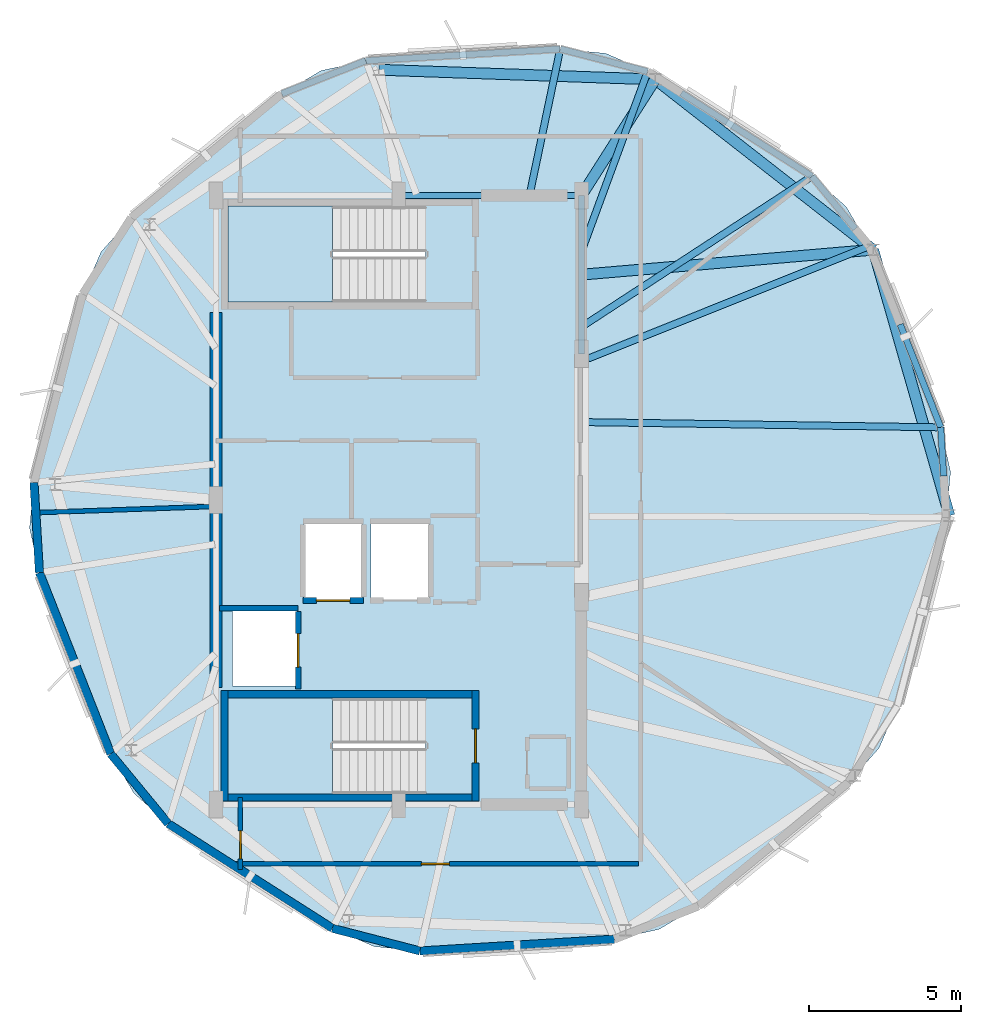
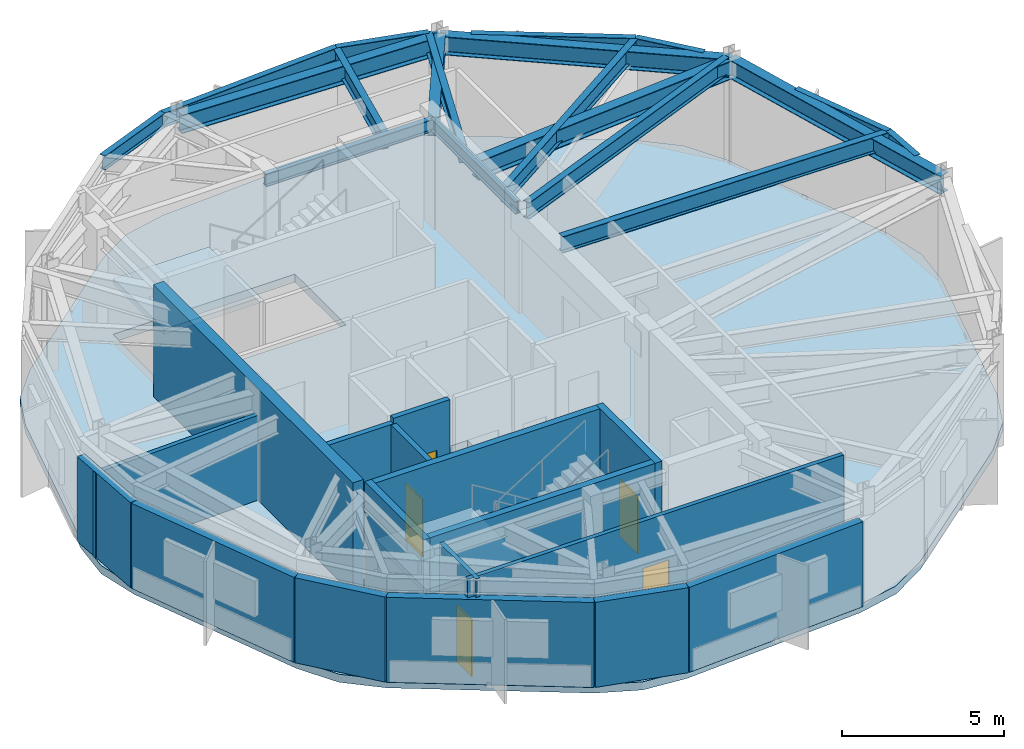
# One storey, part 2 of 6: 19 beams, 17 walls, 5 doors, 3 slabs, 5 openings, 2 elements without a shape of their own.
"""IFC4 building model written with IfcOpenShell, lengths in metres."""

import ifcopenshell
import ifcopenshell.guid

model = None  # the IFC model being written
_history = None  # IfcOwnerHistory: only IFC2X3 demands one
_inside = {}  # id of a spatial element -> (the spatial element, [elements in it])
_under = {}  # id of a project, library or spatial element -> (it, [spatial elements below it])
_declared = {}  # id of a project -> (the project, [libraries it declares])
_typed = {}  # id of a type object -> (the type object, [elements of that type])
_made_of = {}  # id of a material, layer set ... -> (it, [elements and type objects made of it])


def new_model(schema):
    """Start an empty IFC model of exactly this schema.

    Asked for "IFC4X3", IfcOpenShell would pick the latest addendum, in which some entities
    have other attributes; the version numbers below select the first issue.
    IFC2X3 requires an IfcOwnerHistory on every rooted entity: one is made here for all.
    """
    global model, _history
    if schema == "IFC4X3":
        model = ifcopenshell.file(schema_version=(4, 3, 0, 0))
    else:
        model = ifcopenshell.file(schema=schema)
    _inside.clear()
    _under.clear()
    _declared.clear()
    _typed.clear()
    _made_of.clear()
    _history = None
    if model.schema == "IFC2X3":
        org = make("IfcOrganization", Name="unknown")
        user = make(
            "IfcPersonAndOrganization",
            ThePerson=make("IfcPerson", FamilyName="unknown"),
            TheOrganization=org,
        )
        app = make(
            "IfcApplication",
            ApplicationDeveloper=org,
            Version="unknown",
            ApplicationFullName="unknown",
            ApplicationIdentifier="unknown",
        )
        _history = make(
            "IfcOwnerHistory",
            OwningUser=user,
            OwningApplication=app,
            ChangeAction="ADDED",
            CreationDate=0,
        )
    return model


def make(cls, **values):
    """One entity of the class cls with the attributes given. An attribute that is None is left unset."""
    return model.create_entity(
        cls, **{name: value for name, value in values.items() if value is not None}
    )


def rooted(cls, **values):
    """An entity with a GlobalId (a new one), such as an element, a storey or a relation."""
    return make(cls, GlobalId=ifcopenshell.guid.new(), OwnerHistory=_history, **values)


def si_unit(unit_type, name, prefix=None):
    """IfcSIUnit, for example si_unit("LENGTHUNIT", "METRE", prefix="MILLI")."""
    return make("IfcSIUnit", UnitType=unit_type, Prefix=prefix, Name=name)


def assignment(units):
    """IfcUnitAssignment: the units of a project."""
    return None if units is None else make("IfcUnitAssignment", Units=units)


def point(xyz):
    """IfcCartesianPoint."""
    return None if xyz is None else make("IfcCartesianPoint", Coordinates=xyz)


def direction(xyz):
    """IfcDirection."""
    return None if xyz is None else make("IfcDirection", DirectionRatios=xyz)


def frame(location, z_axis=None, x_axis=None):
    """IfcAxis2Placement3D, a coordinate frame: its origin and axes. An axis left out is left unset."""
    return make(
        "IfcAxis2Placement3D",
        Location=point(location),
        Axis=direction(z_axis),
        RefDirection=direction(x_axis),
    )


def frame_2d(location, x_axis=None):
    """IfcAxis2Placement2D, a coordinate frame in the plane: its origin and x axis."""
    return make(
        "IfcAxis2Placement2D", Location=point(location), RefDirection=direction(x_axis)
    )


def origin():
    """The frame at (0, 0, 0) with its axes left unset."""
    return frame((0.0, 0.0, 0.0))


def origin_2d():
    """The frame at (0, 0) in the plane with its x axis left unset."""
    return frame_2d((0.0, 0.0))


def place(relative_to, where):
    """IfcLocalPlacement: puts the frame where relative to a parent placement (None: the world)."""
    return make(
        "IfcLocalPlacement", PlacementRelTo=relative_to, RelativePlacement=where
    )


def context(
    kind, dimensions, precision=None, world=None, true_north=None, identifier=None
):
    """IfcGeometricRepresentationContext, for example the 3D "Model" context."""
    return make(
        "IfcGeometricRepresentationContext",
        ContextIdentifier=identifier,
        ContextType=kind,
        CoordinateSpaceDimension=dimensions,
        Precision=precision,
        WorldCoordinateSystem=world,
        TrueNorth=true_north,
    )


def subcontext(parent, identifier, kind, view, scale=None):
    """IfcGeometricRepresentationSubContext, for example "Body" below "Model"."""
    return make(
        "IfcGeometricRepresentationSubContext",
        ContextIdentifier=identifier,
        ContextType=kind,
        ParentContext=parent,
        TargetScale=scale,
        TargetView=view,
    )


def project(units=None, contexts=None):
    """IfcProject with its units and contexts."""
    return rooted(
        "IfcProject",
        Name="project",
        RepresentationContexts=contexts,
        UnitsInContext=assignment(units),
    )


def spatial(cls, under=None, at=None, **own):
    """A site, building, storey or space (cls), placed at a placement, below another one or the project."""
    s = rooted(cls, ObjectPlacement=at, **own)
    if under is not None:
        _under.setdefault(under.id(), (under, []))[1].append(s)
    return s


def polyline(points):
    """IfcPolyline through the points."""
    return make("IfcPolyline", Points=[point(p) for p in points])


def profile(cls, at=None, kind="AREA", **sizes):
    """A parametric profile (cls). Its sizes go by their IFC names, for example OverallWidth=200.0."""
    return make(cls, ProfileType=kind, Position=at, **sizes)


def rectangle(**sizes):
    """IfcRectangleProfileDef."""
    return profile("IfcRectangleProfileDef", **sizes)


def i_section(**sizes):
    """IfcIShapeProfileDef."""
    return profile("IfcIShapeProfileDef", **sizes)


def outline(outer, holes=None, kind="AREA"):
    """IfcArbitraryClosedProfileDef: a profile drawn as a closed curve; with holes, ...WithVoids."""
    if holes is None:
        return make("IfcArbitraryClosedProfileDef", ProfileType=kind, OuterCurve=outer)
    return make(
        "IfcArbitraryProfileDefWithVoids",
        ProfileType=kind,
        OuterCurve=outer,
        InnerCurves=holes,
    )


def extrude(swept, where, along, depth):
    """IfcExtrudedAreaSolid: the profile swept, set in the frame where, extruded along a direction by depth."""
    return make(
        "IfcExtrudedAreaSolid",
        SweptArea=swept,
        Position=where,
        ExtrudedDirection=direction(along),
        Depth=depth,
    )


def shape(context_of_items, identifier, shape_type, items):
    """IfcShapeRepresentation: the items that make up one representation, for example the "Body"."""
    return make(
        "IfcShapeRepresentation",
        ContextOfItems=context_of_items,
        RepresentationIdentifier=identifier,
        RepresentationType=shape_type,
        Items=items,
    )


def material(Name=None, Category=None):
    """IfcMaterial."""
    return make("IfcMaterial", Name=Name, Category=Category)


def layer(
    of_material, thickness, ventilated=None, Name=None, Category=None, Priority=None
):
    """IfcMaterialLayer: one layer of a wall or slab, of a material (None: an air gap)."""
    return make(
        "IfcMaterialLayer",
        Material=of_material,
        LayerThickness=thickness,
        IsVentilated=ventilated,
        Name=Name,
        Category=Category,
        Priority=Priority,
    )


def layer_set(layers, Name=None):
    """IfcMaterialLayerSet."""
    return make("IfcMaterialLayerSet", MaterialLayers=layers, LayerSetName=Name)


def material_profile(
    of_material, cross_section, Name=None, Category=None, Priority=None
):
    """IfcMaterialProfile: a cross section and its material."""
    return make(
        "IfcMaterialProfile",
        Name=Name,
        Material=of_material,
        Profile=cross_section,
        Priority=Priority,
        Category=Category,
    )


def profile_set(profiles, Name=None, composite=None):
    """IfcMaterialProfileSet."""
    return make(
        "IfcMaterialProfileSet",
        Name=Name,
        MaterialProfiles=profiles,
        CompositeProfile=composite,
    )


def made_of(thing, what):
    """Note that an element or type object is made of a material, layer set ...; save() writes the relation."""
    if what is not None:
        _made_of.setdefault(what.id(), (what, []))[1].append(thing)
    return thing


def type_object(cls, material=None, **own):
    """A type object (cls), such as IfcWallType, which elements share."""
    return made_of(rooted(cls, **own), material)


def element(
    cls,
    number,
    at=None,
    inside=None,
    cuts=None,
    type_object=None,
    material=None,
    context=None,
    identifier="Body",
    shape_type=None,
    held_by="IfcProductDefinitionShape",
    body=None,
    shapes=None,
    **own,
):
    """One element of the class cls, such as IfcWall. Its Tag is "e" and its number.

    at: its placement. inside: the storey or other place that contains it. cuts: it is an
    opening in that element (IfcRelVoidsElement). A single representation is given by context,
    identifier, shape_type and body (its items); several are given by shapes. held_by: the class
    of the entity that holds the representations. save() writes the other relations.
    """
    e = rooted(cls, Tag="e%d" % number, ObjectPlacement=at, **own)
    if body is not None:
        shapes = [shape(context, identifier, shape_type, body)]
    if shapes is not None:
        e.Representation = make(held_by, Representations=shapes)
    if inside is not None:
        _inside.setdefault(inside.id(), (inside, []))[1].append(e)
    if cuts is not None:
        rooted(
            "IfcRelVoidsElement", RelatingBuildingElement=cuts, RelatedOpeningElement=e
        )
    if type_object is not None:
        _typed.setdefault(type_object.id(), (type_object, []))[1].append(e)
    return made_of(e, material)


def fill(opening, filler):
    """IfcRelFillsElement: the door or window that sits in an opening."""
    return rooted(
        "IfcRelFillsElement",
        RelatingOpeningElement=opening,
        RelatedBuildingElement=filler,
    )


def aggregate(whole, parts):
    """IfcRelAggregates: a whole, such as a stair, and the parts it consists of."""
    return rooted("IfcRelAggregates", RelatingObject=whole, RelatedObjects=parts)


def save(model, path):
    """Write the relations noted so far, then the file.

    IfcRelAggregates (storeys below a building ...), IfcRelContainedInSpatialStructure (elements
    in a storey), IfcRelDefinesByType, IfcRelAssociatesMaterial and IfcRelDeclares: one each for
    every whole, place, type object, material and project.
    """
    for whole, parts in _under.values():
        aggregate(whole, parts)
    for where, things in _inside.values():
        rooted(
            "IfcRelContainedInSpatialStructure",
            RelatedElements=things,
            RelatingStructure=where,
        )
    for kind, things in _typed.values():
        rooted("IfcRelDefinesByType", RelatedObjects=things, RelatingType=kind)
    for what, things in _made_of.values():
        rooted("IfcRelAssociatesMaterial", RelatedObjects=things, RelatingMaterial=what)
    for by, libraries in _declared.values():
        rooted("IfcRelDeclares", RelatingContext=by, RelatedDefinitions=libraries)
    model.write(path)


model = new_model("IFC4")

# Units and contexts
model_context = context("Model", 3, precision=1e-05, world=origin(), true_north=direction((0.0, 1.0)))
body_context = subcontext(model_context, "Body", "Model", "MODEL_VIEW")
ifc_project = project(units=[si_unit("LENGTHUNIT", "METRE"), si_unit("AREAUNIT", "SQUARE_METRE"), si_unit("VOLUMEUNIT", "CUBIC_METRE"), si_unit("PLANEANGLEUNIT", "RADIAN"), si_unit("MASSUNIT", "GRAM", prefix="KILO")], contexts=[model_context])

# Site, building, storey
site_placement = place(None, origin())
site = spatial("IfcSite", under=ifc_project, at=site_placement, CompositionType="ELEMENT")
building_placement = place(site_placement, origin())
building = spatial("IfcBuilding", under=site, at=building_placement, Name="Soratama Intermodal Tower", CompositionType="ELEMENT")
storey_placement = place(building_placement, frame((0.0, 0.0, 314.050048828125)))
storey = spatial("IfcBuildingStorey", under=building, at=storey_placement, Name="L79", CompositionType="ELEMENT", Elevation=314.050048828125)

# Beams
ifc_material_1 = material(Name="Structural steel ASTM A992 Grade 50", Category="steel")
ifc_material_profile_1 = material_profile(ifc_material_1, i_section(OverallWidth=0.19091796875, OverallDepth=0.4599609375, WebThickness=0.010009765625, FlangeThickness=0.01611328125, FilletRadius=0.010986328125, at=origin_2d()), Name="W18X55")
ifc_profile_set_1 = profile_set([ifc_material_profile_1], Name="Structural steel ASTM A992 Grade 50")
beam_type_1 = type_object("IfcBeamType", Name="BM-FLR-W18X55", PredefinedType="BEAM", material=ifc_profile_set_1)
beam_1_placement = place(storey_placement, frame((44.60009765625, 29.800048828125, 3.6650390625), z_axis=(0.0, 1.0, 0.0), x_axis=(-1.0, 0.0, 0.0)))
element("IfcBeam", 1, at=beam_1_placement, inside=storey, type_object=beam_type_1, Name="BM-L79-CRING-05", PredefinedType="BEAM", context=body_context, shape_type="SweptSolid", body=[
    extrude(i_section(OverallWidth=0.19091796875, OverallDepth=0.4599609375, WebThickness=0.010009765625, FlangeThickness=0.01611328125, FilletRadius=0.010986328125, at=origin_2d()), origin(), (0.0, 0.0, 1.0), 5.199951171875),
])
beam_2_placement = place(storey_placement, frame((44.60009765625, 35.0, 3.6650390625), z_axis=(-1.0, 0.0, 0.0), x_axis=(0.0, -1.0, 0.0)))
element("IfcBeam", 2, at=beam_2_placement, inside=storey, type_object=beam_type_1, Name="BM-L79-CRING-06", PredefinedType="BEAM", context=body_context, shape_type="SweptSolid", body=[
    extrude(i_section(OverallWidth=0.19091796875, OverallDepth=0.4599609375, WebThickness=0.010009765625, FlangeThickness=0.01611328125, FilletRadius=0.010986328125, at=origin_2d()), origin(), (0.0, 0.0, 1.0), 6.0),
])
ifc_material_2 = material(Name="Structural steel ASTM A992 Grade 50", Category="steel")
ifc_material_profile_2 = material_profile(ifc_material_2, i_section(OverallWidth=0.35498046875, OverallDepth=0.695068359375, WebThickness=0.015380859375, FlangeThickness=0.02490234375, FilletRadius=0.01611328125, at=origin_2d()), Name="W27X146")
ifc_profile_set_2 = profile_set([ifc_material_profile_2], Name="Structural steel ASTM A992 Grade 50")
beam_type_2 = type_object("IfcBeamType", Name="BM-RING-W27X146", PredefinedType="BEAM", material=ifc_profile_set_2)
beam_3_placement = place(storey_placement, frame((54.18701171875, 33.219970703125, 3.54736328125), z_axis=(-0.78801907717, 0.615650821502, 0.0), x_axis=(-0.615650821502, -0.78801907717, 0.0)))
element("IfcBeam", 3, at=beam_3_placement, inside=storey, type_object=beam_type_2, Name="BM-L79-RING-01", PredefinedType="BEAM", context=body_context, shape_type="SweptSolid", body=[
    extrude(i_section(OverallWidth=0.35498046875, OverallDepth=0.695068359375, WebThickness=0.015380859375, FlangeThickness=0.02490234375, FilletRadius=0.01611328125, at=origin_2d()), origin(), (0.0, 0.0, 1.0), 9.084716796875),
])
beam_4_placement = place(storey_placement, frame((47.028076171875, 38.81298828125, 3.54736328125), z_axis=(-0.999391551516, 0.034878743651, 0.0), x_axis=(-0.034878743651, -0.999391551516, 0.0)))
element("IfcBeam", 4, at=beam_4_placement, inside=storey, type_object=beam_type_2, Name="BM-L79-RING-02", PredefinedType="BEAM", context=body_context, shape_type="SweptSolid", body=[
    extrude(i_section(OverallWidth=0.35498046875, OverallDepth=0.695068359375, WebThickness=0.015380859375, FlangeThickness=0.02490234375, FilletRadius=0.01611328125, at=origin_2d()), origin(), (0.0, 0.0, 1.0), 9.085693359375),
])
beam_5_placement = place(storey_placement, frame((56.69091796875, 24.487060546875, 3.54736328125), z_axis=(-0.275615442928, 0.961267979088, 0.0), x_axis=(-0.961267979088, -0.275615442928, 0.0)))
element("IfcBeam", 5, at=beam_5_placement, inside=storey, type_object=beam_type_2, Name="BM-L79-RING-10", PredefinedType="BEAM", context=body_context, shape_type="SweptSolid", body=[
    extrude(i_section(OverallWidth=0.35498046875, OverallDepth=0.695068359375, WebThickness=0.015380859375, FlangeThickness=0.02490234375, FilletRadius=0.01611328125, at=origin_2d()), origin(), (0.0, 0.0, 1.0), 9.084716796875),
])
beam_6_placement = place(storey_placement, frame((44.60009765625, 32.39990234375, 3.54736328125), z_axis=(0.996361377068, 0.085229139899, 0.0), x_axis=(-0.085229139899, 0.996361377068, 0.0)))
element("IfcBeam", 6, at=beam_6_placement, inside=storey, type_object=beam_type_2, Name="BM-L79-RAD-01", PredefinedType="BEAM", context=body_context, shape_type="SweptSolid", body=[
    extrude(i_section(OverallWidth=0.35498046875, OverallDepth=0.695068359375, WebThickness=0.015380859375, FlangeThickness=0.02490234375, FilletRadius=0.01611328125, at=origin_2d()), origin(), (0.0, 0.0, 1.0), 9.621826171875),
])
beam_7_placement = place(storey_placement, frame((44.60009765625, 35.0, 3.54736328125), z_axis=(0.537116603261, 0.843508005001, 0.0), x_axis=(-0.843508005001, 0.537116603261, 0.0)))
element("IfcBeam", 7, at=beam_7_placement, inside=storey, type_object=beam_type_2, Name="BM-L79-RAD-02", PredefinedType="BEAM", context=body_context, shape_type="SweptSolid", body=[
    extrude(i_section(OverallWidth=0.35498046875, OverallDepth=0.695068359375, WebThickness=0.015380859375, FlangeThickness=0.02490234375, FilletRadius=0.01611328125, at=origin_2d()), origin(), (0.0, 0.0, 1.0), 4.5205078125),
])
ifc_material_3 = material(Name="Structural steel ASTM A992 Grade 50", Category="steel")
ifc_material_profile_3 = material_profile(ifc_material_3, i_section(OverallWidth=0.2099609375, OverallDepth=0.537109375, WebThickness=0.010986328125, FlangeThickness=0.017333984375, FilletRadius=0.012939453125, at=origin_2d()), Name="W21X68")
ifc_profile_set_3 = profile_set([ifc_material_profile_3], Name="Structural steel ASTM A992 Grade 50")
beam_type_3 = type_object("IfcBeamType", Name="BM-SPN-W21X68", PredefinedType="SPANDREL", material=ifc_profile_set_3)
beam_8_placement = place(storey_placement, frame((43.904052734375, 39.81298828125, 3.62646484375), z_axis=(-0.998159897877, -0.060636773243, 0.0), x_axis=(0.060636773243, -0.998159897877, 0.0)))
element("IfcBeam", 8, at=beam_8_placement, inside=storey, type_object=beam_type_3, Name="BS-L79-F01", PredefinedType="SPANDREL", context=body_context, shape_type="SweptSolid", body=[
    extrude(i_section(OverallWidth=0.2099609375, OverallDepth=0.537109375, WebThickness=0.010986328125, FlangeThickness=0.017333984375, FilletRadius=0.012939453125, at=origin_2d()), origin(), (0.0, 0.0, 1.0), 6.397705078125),
])
beam_9_placement = place(storey_placement, frame((37.51806640625, 39.425048828125, 3.62646484375), z_axis=(-0.930606391536, -0.366021507609, 0.0), x_axis=(0.366021507609, -0.930606391536, 0.0)))
element("IfcBeam", 9, at=beam_9_placement, inside=storey, type_object=beam_type_3, Name="BS-L79-CRN01", PredefinedType="SPANDREL", context=body_context, shape_type="SweptSolid", body=[
    extrude(i_section(OverallWidth=0.2099609375, OverallDepth=0.537109375, WebThickness=0.010986328125, FlangeThickness=0.017333984375, FilletRadius=0.012939453125, at=origin_2d()), origin(), (0.0, 0.0, 1.0), 2.966796875),
])
beam_10_placement = place(storey_placement, frame((56.498046875, 25.784912109375, 3.62646484375), z_axis=(-0.060577777532, 0.998163480032, 0.0), x_axis=(-0.998163480032, -0.060577777532, 0.0)))
element("IfcBeam", 10, at=beam_10_placement, inside=storey, type_object=beam_type_3, Name="BS-L79-CRN08", PredefinedType="SPANDREL", context=body_context, shape_type="SweptSolid", body=[
    extrude(i_section(OverallWidth=0.2099609375, OverallDepth=0.537109375, WebThickness=0.010986328125, FlangeThickness=0.017333984375, FilletRadius=0.012939453125, at=origin_2d()), origin(), (0.0, 0.0, 1.0), 1.60400390625),
])
beam_11_placement = place(storey_placement, frame((56.40087890625, 27.385986328125, 3.62646484375), z_axis=(-0.366394132443, 0.930459746422, 0.0), x_axis=(-0.930459746422, -0.366394132443, 0.0)))
element("IfcBeam", 11, at=beam_11_placement, inside=storey, type_object=beam_type_3, Name="BS-L79-F09", PredefinedType="SPANDREL", context=body_context, shape_type="SweptSolid", body=[
    extrude(i_section(OverallWidth=0.2099609375, OverallDepth=0.537109375, WebThickness=0.010986328125, FlangeThickness=0.017333984375, FilletRadius=0.012939453125, at=origin_2d()), origin(), (0.0, 0.0, 1.0), 3.634765625),
])
beam_12_placement = place(storey_placement, frame((53.593994140625, 33.902099609375, 3.62646484375), z_axis=(-0.63576459679, 0.771883007631, 0.0), x_axis=(-0.771883007631, -0.63576459679, 0.0)))
element("IfcBeam", 12, at=beam_12_placement, inside=storey, type_object=beam_type_3, Name="BS-L79-CRN09", PredefinedType="SPANDREL", context=body_context, shape_type="SweptSolid", body=[
    extrude(i_section(OverallWidth=0.2099609375, OverallDepth=0.537109375, WebThickness=0.010986328125, FlangeThickness=0.017333984375, FilletRadius=0.012939453125, at=origin_2d()), origin(), (0.0, 0.0, 1.0), 2.23828125),
])
beam_13_placement = place(storey_placement, frame((52.1708984375, 35.6298828125, 3.62646484375), z_axis=(-0.843194840306, 0.537608092649, 0.0), x_axis=(-0.537608092649, -0.843194840306, 0.0)))
element("IfcBeam", 13, at=beam_13_placement, inside=storey, type_object=beam_type_3, Name="BS-L79-F10", PredefinedType="SPANDREL", context=body_context, shape_type="SweptSolid", body=[
    extrude(i_section(OverallWidth=0.2099609375, OverallDepth=0.537109375, WebThickness=0.010986328125, FlangeThickness=0.017333984375, FilletRadius=0.012939453125, at=origin_2d()), origin(), (0.0, 0.0, 1.0), 5.087646484375),
])
beam_14_placement = place(storey_placement, frame((46.77587890625, 39.070068359375, 3.62646484375), z_axis=(-0.96813005439, 0.250447994177, 0.0), x_axis=(-0.250447994177, -0.96813005439, 0.0)))
element("IfcBeam", 14, at=beam_14_placement, inside=storey, type_object=beam_type_3, Name="BS-L79-CRN10", PredefinedType="SPANDREL", context=body_context, shape_type="SweptSolid", body=[
    extrude(i_section(OverallWidth=0.2099609375, OverallDepth=0.537109375, WebThickness=0.010986328125, FlangeThickness=0.017333984375, FilletRadius=0.012939453125, at=origin_2d()), origin(), (0.0, 0.0, 1.0), 2.96630859375),
])
ifc_material_4 = material(Name="Structural steel ASTM A992 Grade 50", Category="steel")
ifc_material_profile_4 = material_profile(ifc_material_4, i_section(OverallWidth=0.22900390625, OverallDepth=0.612060546875, WebThickness=0.011962890625, FlangeThickness=0.01953125, FilletRadius=0.012939453125, at=origin_2d()), Name="W24X84")
ifc_profile_set_4 = profile_set([ifc_material_profile_4], Name="Structural steel ASTM A992 Grade 50")
beam_type_4 = type_object("IfcBeamType", Name="BM-TIE-W24X84", PredefinedType="BEAM", material=ifc_profile_set_4)
beam_15_placement = place(storey_placement, frame((42.903076171875, 35.0390625, 3.5888671875), z_axis=(0.205213297711, 0.978717274009, 0.0), x_axis=(-0.978717274009, 0.205213297711, 0.0)))
element("IfcBeam", 15, at=beam_15_placement, inside=storey, type_object=beam_type_4, Name="BM-L79-TIE0-01", PredefinedType="BEAM", context=body_context, shape_type="SweptSolid", body=[
    extrude(i_section(OverallWidth=0.22900390625, OverallDepth=0.612060546875, WebThickness=0.011962890625, FlangeThickness=0.01953125, FilletRadius=0.012939453125, at=origin_2d()), origin(), (0.0, 0.0, 1.0), 4.877685546875),
])
beam_16_placement = place(storey_placement, frame((44.8349609375, 27.555908203125, 3.5888671875), z_axis=(0.999892095868, -0.014690017704, 0.0), x_axis=(0.014690017704, 0.999892095868, 0.0)))
element("IfcBeam", 16, at=beam_16_placement, inside=storey, type_object=beam_type_4, Name="BM-L79-TIE0-09", PredefinedType="BEAM", context=body_context, shape_type="SweptSolid", body=[
    extrude(i_section(OverallWidth=0.22900390625, OverallDepth=0.612060546875, WebThickness=0.011962890625, FlangeThickness=0.01953125, FilletRadius=0.012939453125, at=origin_2d()), origin(), (0.0, 0.0, 1.0), 11.567138671875),
])
beam_17_placement = place(storey_placement, frame((44.818115234375, 29.64404296875, 3.5888671875), z_axis=(0.928458076868, 0.371437208015, 0.0), x_axis=(-0.371437208015, 0.928458076868, 0.0)))
element("IfcBeam", 17, at=beam_17_placement, inside=storey, type_object=beam_type_4, Name="BM-L79-TIE1-09", PredefinedType="BEAM", context=body_context, shape_type="SweptSolid", body=[
    extrude(i_section(OverallWidth=0.22900390625, OverallDepth=0.612060546875, WebThickness=0.011962890625, FlangeThickness=0.01953125, FilletRadius=0.012939453125, at=origin_2d()), origin(), (0.0, 0.0, 1.0), 9.95068359375),
])
beam_18_placement = place(storey_placement, frame((44.633056640625, 30.705078125, 3.5888671875), z_axis=(0.837162061525, 0.546954918383, 0.0), x_axis=(-0.546954918383, 0.837162061525, 0.0)))
element("IfcBeam", 18, at=beam_18_placement, inside=storey, type_object=beam_type_4, Name="BM-L79-TIE0-10", PredefinedType="BEAM", context=body_context, shape_type="SweptSolid", body=[
    extrude(i_section(OverallWidth=0.22900390625, OverallDepth=0.612060546875, WebThickness=0.011962890625, FlangeThickness=0.01953125, FilletRadius=0.012939453125, at=origin_2d()), origin(), (0.0, 0.0, 1.0), 9.004150390625),
])
beam_19_placement = place(storey_placement, frame((44.614013671875, 33.19189453125, 3.5888671875), z_axis=(0.345174215008, 0.938538630688, 0.0), x_axis=(-0.938538630688, 0.345174215008, 0.0)))
element("IfcBeam", 19, at=beam_19_placement, inside=storey, type_object=beam_type_4, Name="BM-L79-TIE1-10", PredefinedType="BEAM", context=body_context, shape_type="SweptSolid", body=[
    extrude(i_section(OverallWidth=0.22900390625, OverallDepth=0.612060546875, WebThickness=0.011962890625, FlangeThickness=0.01953125, FilletRadius=0.012939453125, at=origin_2d()), origin(), (0.0, 0.0, 1.0), 6.26318359375),
])

# Slab
ifc_material_5 = material(Name="Concrete f'c 42 MPa", Category="concrete")
ifc_layer_1 = layer(ifc_material_5, 0.260009765625)
ifc_layer_set_1 = layer_set([ifc_layer_1], Name="Concrete f'c 42 MPa")
slab_type_1 = type_object("IfcSlabType", Name="SL-CRN-260", PredefinedType="FLOOR", material=ifc_layer_set_1)
slab_1_placement = place(storey_placement, frame((0.0, 0.0, -0.304931640625)))
element("IfcSlab", 20, at=slab_1_placement, inside=storey, type_object=slab_type_1, Name="L79 Structural Floor Slab", PredefinedType="FLOOR", context=body_context, shape_type="SweptSolid", body=[
    extrude(outline(polyline([(46.776123046875, 39.069580078125), (45.399169921875, 39.6689453125), (43.904296875, 39.8134765625), (37.517578125, 39.425048828125), (36.05126953125, 39.1005859375), (34.757080078125, 38.3388671875), (29.818359375, 34.2705078125), (28.822998046875, 33.146240234375), (28.2236328125, 31.76904296875), (26.619384765625, 25.574951171875), (26.47509765625, 24.080078125), (26.799560546875, 22.614013671875), (29.142578125, 16.659912109375), (29.904296875, 15.365478515625), (31.028564453125, 14.3701171875), (36.423828125, 10.930419921875), (37.80078125, 10.3310546875), (39.295654296875, 10.1865234375), (45.682373046875, 10.574951171875), (47.148681640625, 10.8994140625), (48.44287109375, 11.6611328125), (53.381591796875, 15.7294921875), (54.377197265625, 16.853759765625), (54.976318359375, 18.23095703125), (56.58056640625, 24.425048828125), (56.72509765625, 25.919921875), (56.400390625, 27.385986328125), (54.0576171875, 33.340087890625), (53.2958984375, 34.634521484375), (52.17138671875, 35.6298828125), (46.776123046875, 39.069580078125)]), holes=[polyline([(33.0, 15.35009765625), (39.47509765625, 15.35009765625), (39.47509765625, 18.5), (33.0, 18.5), (33.0, 15.35009765625)]), polyline([(33.139892578125, 21.409912109375), (33.139892578125, 18.889892578125), (35.260009765625, 18.889892578125), (35.260009765625, 21.409912109375), (33.139892578125, 21.409912109375)]), polyline([(35.489990234375, 24.260009765625), (35.489990234375, 21.739990234375), (37.409912109375, 21.739990234375), (37.409912109375, 24.260009765625), (35.489990234375, 24.260009765625)]), polyline([(39.610107421875, 24.260009765625), (37.68994140625, 24.260009765625), (37.68994140625, 21.739990234375), (39.610107421875, 21.739990234375), (39.610107421875, 24.260009765625)]), polyline([(33.0, 34.64990234375), (33.0, 31.5), (39.47509765625, 31.5), (39.47509765625, 34.64990234375), (33.0, 34.64990234375)])]), origin(), (0.0, 0.0, 1.0), 0.304931640625),
])

# Stair, slab
ifc_material_6 = material(Name="Concrete f'c 42 MPa", Category="concrete")
stair_type = type_object("IfcStairType", Name="ST-CORE-DOGLEG", PredefinedType="HALF_TURN_STAIR", material=ifc_material_6)
stair_1_placement = place(storey_placement, origin())
stair_1 = element("IfcStair", 21, at=stair_1_placement, inside=storey, type_object=stair_type, Name="L79 ST-1", PredefinedType="HALF_TURN_STAIR")
ifc_material_7 = material(Name="Concrete f'c 42 MPa", Category="concrete")
ifc_layer_2 = layer(ifc_material_7, 0.219970703125)
ifc_layer_set_2 = layer_set([ifc_layer_2], Name="Concrete f'c 42 MPa")
slab_type_2 = type_object("IfcSlabType", Name="SL-STAIR-LAND", PredefinedType="LANDING", material=ifc_layer_set_2)
slab_2_placement = place(storey_placement, frame((0.0, 0.0, 1.89990234375)))
slab_2 = element("IfcSlab", 22, at=slab_2_placement, type_object=slab_type_2, Name="ST-1 landing 1", PredefinedType="LANDING", context=body_context, shape_type="SweptSolid", body=[
    extrude(outline(polyline([(36.419921875, 18.5), (33.0, 18.5), (33.0, 15.35009765625), (36.419921875, 15.35009765625), (36.419921875, 18.5)])), origin(), (0.0, 0.0, 1.0), 0.199951171875),
])
aggregate(stair_1, [slab_2])

stair_2_placement = place(storey_placement, origin())
stair_2 = element("IfcStair", 23, at=stair_2_placement, inside=storey, type_object=stair_type, Name="L79 ST-2", PredefinedType="HALF_TURN_STAIR")
slab_3_placement = place(storey_placement, frame((0.0, 0.0, 1.89990234375)))
slab_3 = element("IfcSlab", 24, at=slab_3_placement, type_object=slab_type_2, Name="ST-2 landing 1", PredefinedType="LANDING", context=body_context, shape_type="SweptSolid", body=[
    extrude(outline(polyline([(36.419921875, 34.64990234375), (33.0, 34.64990234375), (33.0, 31.5), (36.419921875, 31.5), (36.419921875, 34.64990234375)])), origin(), (0.0, 0.0, 1.0), 0.199951171875),
])
aggregate(stair_2, [slab_3])

# Walls
ifc_material_8 = material(Name="Concrete f'c 42 MPa", Category="concrete")
ifc_layer_3 = layer(ifc_material_8, 0.27001953125)
ifc_layer_set_3 = layer_set([ifc_layer_3], Name="Concrete f'c 42 MPa")
wall_type_1 = type_object("IfcWallType", Name="EW-CRN-270", PredefinedType="SOLIDWALL", material=ifc_layer_set_3)
wall_1_placement = place(storey_placement, frame((26.619384765625, 25.574951171875, 0.0), z_axis=(0.0, 0.0, 1.0), x_axis=(0.060738574932, -0.998153708361, 0.0)))
element("IfcWall", 25, at=wall_1_placement, inside=storey, type_object=wall_type_1, Name="L79 Corner Closure Wall 03", PredefinedType="SOLIDWALL", context=body_context, shape_type="SweptSolid", body=[
    extrude(rectangle(XDim=2.96630859375, YDim=0.27001953125, at=frame_2d((1.483154296875, 0.0))), origin(), (0.0, 0.0, 1.0), 3.195068359375),
])
wall_2_placement = place(storey_placement, frame((29.142578125, 16.659912109375, 0.0), z_axis=(0.0, 0.0, 1.0), x_axis=(0.635762060893, -0.771885096325, 0.0)))
element("IfcWall", 26, at=wall_2_placement, inside=storey, type_object=wall_type_1, Name="L79 Corner Closure Wall 04", PredefinedType="SOLIDWALL", context=body_context, shape_type="SweptSolid", body=[
    extrude(rectangle(XDim=2.966552734375, YDim=0.27001953125, at=frame_2d((1.4833984375, 0.0))), origin(), (0.0, 0.0, 1.0), 3.195068359375),
])
wall_3_placement = place(storey_placement, frame((26.799560546875, 22.614013671875, 0.0), z_axis=(0.0, 0.0, 1.0), x_axis=(0.366181182251, -0.930543573276, 0.0)))
element("IfcWall", 27, at=wall_3_placement, inside=storey, type_object=wall_type_1, Name="L79 Plant Wall F04", PredefinedType="SOLIDWALL", context=body_context, shape_type="SweptSolid", body=[
    extrude(rectangle(XDim=6.3984375, YDim=0.27001953125, at=frame_2d((3.19921875, 0.0))), origin(), (0.0, 0.0, 1.0), 3.195068359375),
])
wall_4_placement = place(storey_placement, frame((36.423828125, 10.930419921875, 0.0), z_axis=(0.0, 0.0, 1.0), x_axis=(0.968050189029, -0.250756518403, 0.0)))
element("IfcWall", 28, at=wall_4_placement, inside=storey, type_object=wall_type_1, Name="L79 Corner Closure Wall 05", PredefinedType="SOLIDWALL", context=body_context, shape_type="SweptSolid", body=[
    extrude(rectangle(XDim=2.966552734375, YDim=0.27001953125, at=frame_2d((1.4833984375, 0.0))), origin(), (0.0, 0.0, 1.0), 3.195068359375),
])
for number, where, z_axis, x_axis, name in (
    (29, (31.028564453125, 14.3701171875, 0.0), (0.0, 0.0, 1.0), (0.843211847945, -0.537581416611, 0.0), "L79 Plant Wall F05"),
    (30, (39.295654296875, 10.1865234375, 0.0), (0.0, 0.0, 1.0), (0.998155697587, 0.06070587595, 0.0), "L79 Plant Wall F06"),
):
    element("IfcWall", number, at=place(storey_placement, frame(where, z_axis=z_axis, x_axis=x_axis)), inside=storey, type_object=wall_type_1, Name=name, PredefinedType="SOLIDWALL", context=body_context, shape_type="SweptSolid", body=[
        extrude(rectangle(XDim=6.3984375, YDim=0.27001953125, at=frame_2d((3.19921875, 0.0))), origin(), (0.0, 0.0, 1.0), 3.195068359375),
    ])

# Wall, opening, door
ifc_material_9 = material(Name="Fire-rated gypsum stud partition", Category="concrete")
ifc_layer_4 = layer(ifc_material_9, 0.14990234375)
ifc_layer_set_4 = layer_set([ifc_layer_4], Name="Fire-rated gypsum stud partition")
wall_type_2 = type_object("IfcWallType", Name="IW-PART-R150", PredefinedType="PARTITIONING", material=ifc_layer_set_4)
wall_5_placement = place(storey_placement, frame((46.47998046875, 13.050048828125, 0.0), z_axis=(0.0, 0.0, 1.0), x_axis=(-1.0, 0.0, 0.0)))
wall_5 = element("IfcWall", 31, at=wall_5_placement, inside=storey, type_object=wall_type_2, Name="L79 Partition W-L79-TP002", PredefinedType="PARTITIONING", context=body_context, shape_type="SweptSolid", body=[
    extrude(rectangle(XDim=13.380859375, YDim=0.14990234375, at=frame_2d((6.6904296875, 0.0))), origin(), (0.0, 0.0, 1.0), 3.89501953125),
])
opening_1_placement = place(wall_5_placement, frame((6.216064453125, 0.0, 0.0)))
opening_1 = element("IfcOpeningElement", 32, at=opening_1_placement, cuts=wall_5, Name="Opening ID-6", PredefinedType="OPENING", context=body_context, shape_type="SweptSolid", body=[
    extrude(rectangle(XDim=0.919921875, YDim=2.1201171875, at=frame_2d((0.4599609375, 1.06005859375))), frame((0.0, 0.0849609375, 0.0), z_axis=(0.0, -1.0, 0.0), x_axis=(1.0, 0.0, 0.0)), (0.0, 0.0, 1.0), 0.169921875),
])
ifc_material_10 = material(Name="Solid hardwood acoustic door", Category="wood")
door_type_1 = type_object("IfcDoorType", Name="DR-ROOM-920", OperationType="NOTDEFINED", PredefinedType="DOOR", material=ifc_material_10)
door_1_placement = place(opening_1_placement, origin())
door_1 = element("IfcDoor", 33, at=door_1_placement, inside=storey, type_object=door_type_1, Name="L79 Door D-L79-TP002", OperationType="SINGLE_SWING_LEFT", OverallHeight=2.1201171875, OverallWidth=0.919921875, PredefinedType="DOOR", context=body_context, shape_type="SweptSolid", body=[
    extrude(rectangle(XDim=0.919921875, YDim=2.1201171875, at=frame_2d((0.4599609375, 1.06005859375))), frame((0.0, 0.02490234375, 0.0), z_axis=(0.0, -1.0, 0.0), x_axis=(1.0, 0.0, 0.0)), (0.0, 0.0, 1.0), 0.050048828125),
])
fill(opening_1, door_1)

# Wall
wall_6_placement = place(storey_placement, frame((32.527099609375, 24.7880859375, 0.0), z_axis=(0.0, 0.0, 1.0), x_axis=(-0.999387714074, -0.034988526077, 0.0)))
element("IfcWall", 34, at=wall_6_placement, inside=storey, type_object=wall_type_2, Name="L79 Partition W-L79-TP009", PredefinedType="PARTITIONING", context=body_context, shape_type="SweptSolid", body=[
    extrude(rectangle(XDim=6.0078125, YDim=0.14990234375, at=frame_2d((3.00390625, 0.0))), origin(), (0.0, 0.0, 1.0), 3.18994140625),
])

# Wall, opening, door
wall_7_placement = place(storey_placement, frame((33.39990234375, 12.85791015625, 0.0), z_axis=(0.0, 0.0, 1.0), x_axis=(0.0, 1.0, 0.0)))
wall_7 = element("IfcWall", 35, at=wall_7_placement, inside=storey, type_object=wall_type_2, Name="L79 Partition W-L79-TP016", PredefinedType="PARTITIONING", context=body_context, shape_type="SweptSolid", body=[
    extrude(rectangle(XDim=2.3720703125, YDim=0.14990234375, at=frame_2d((1.18603515625, 0.0))), origin(), (0.0, 0.0, 1.0), 3.89501953125),
])
opening_2_placement = place(wall_7_placement, frame((0.35498046875, 0.0, 0.0)))
opening_2 = element("IfcOpeningElement", 36, at=opening_2_placement, cuts=wall_7, Name="Opening ID-6", PredefinedType="OPENING", context=body_context, shape_type="SweptSolid", body=[
    extrude(rectangle(XDim=0.919921875, YDim=2.1201171875, at=frame_2d((0.4599609375, 1.06005859375))), frame((0.0, 0.0849609375, 0.0), z_axis=(0.0, -1.0, 0.0), x_axis=(1.0, 0.0, 0.0)), (0.0, 0.0, 1.0), 0.169921875),
])
door_2_placement = place(opening_2_placement, origin())
door_2 = element("IfcDoor", 37, at=door_2_placement, inside=storey, type_object=door_type_1, Name="L79 Door D-L79-TP010", OperationType="SINGLE_SWING_LEFT", OverallHeight=2.1201171875, OverallWidth=0.919921875, PredefinedType="DOOR", context=body_context, shape_type="SweptSolid", body=[
    extrude(rectangle(XDim=0.919921875, YDim=2.1201171875, at=frame_2d((0.4599609375, 1.06005859375))), frame((0.0, 0.02490234375, 0.0), z_axis=(0.0, -1.0, 0.0), x_axis=(1.0, 0.0, 0.0)), (0.0, 0.0, 1.0), 0.050048828125),
])
fill(opening_2, door_2)

ifc_material_11 = material(Name="Concrete f'c 42 MPa", Category="concrete")
ifc_layer_5 = layer(ifc_material_11, 0.18505859375)
ifc_layer_set_5 = layer_set([ifc_layer_5], Name="Concrete f'c 42 MPa")
wall_type_3 = type_object("IfcWallType", Name="IW-SHAFT-185", PredefinedType="SOLIDWALL", material=ifc_layer_set_5)
wall_8_placement = place(storey_placement, frame((35.449951171875, 21.699951171875, 0.0), z_axis=(0.0, 0.0, 1.0), x_axis=(1.0, 0.0, 0.0)))
wall_8 = element("IfcWall", 38, at=wall_8_placement, inside=storey, type_object=wall_type_3, Name="L79 FFL-1 Hoistway Wall S", PredefinedType="SOLIDWALL", context=body_context, shape_type="SweptSolid", body=[
    extrude(rectangle(XDim=2.0, YDim=0.18505859375, at=frame_2d((1.0, 0.0))), origin(), (0.0, 0.0, 1.0), 3.89501953125),
])
opening_3_placement = place(wall_8_placement, frame((0.449951171875, 0.0, 0.0)))
opening_3 = element("IfcOpeningElement", 39, at=opening_3_placement, cuts=wall_8, Name="Opening LD-1", PredefinedType="OPENING", context=body_context, shape_type="SweptSolid", body=[
    extrude(rectangle(XDim=1.10009765625, YDim=2.14990234375, at=frame_2d((0.550048828125, 1.074951171875))), frame((0.0, 0.1025390625, 0.0), z_axis=(0.0, -1.0, 0.0), x_axis=(1.0, 0.0, 0.0)), (0.0, 0.0, 1.0), 0.205078125),
])
ifc_material_12 = material(Name="Steel fire door", Category="steel")
door_type_2 = type_object("IfcDoorType", Name="DR-LIFT-SLIDE", OperationType="NOTDEFINED", PredefinedType="DOOR", material=ifc_material_12)
door_3_placement = place(opening_3_placement, origin())
door_3 = element("IfcDoor", 40, at=door_3_placement, inside=storey, type_object=door_type_2, Name="L79 FFL-1 Sliding Landing Door", OperationType="SLIDING_TO_LEFT", OverallHeight=2.14990234375, OverallWidth=1.10009765625, PredefinedType="DOOR", context=body_context, shape_type="SweptSolid", body=[
    extrude(rectangle(XDim=1.10009765625, YDim=2.14990234375, at=frame_2d((0.550048828125, 1.074951171875))), frame((0.0, 0.02490234375, 0.0), z_axis=(0.0, -1.0, 0.0), x_axis=(1.0, 0.0, 0.0)), (0.0, 0.0, 1.0), 0.050048828125),
])
fill(opening_3, door_3)

# Wall
wall_9_placement = place(storey_placement, frame((32.719970703125, 21.449951171875, 0.0), z_axis=(0.0, 0.0, 1.0), x_axis=(1.0, 0.0, 0.0)))
element("IfcWall", 41, at=wall_9_placement, inside=storey, type_object=wall_type_3, Name="L79 SVL-1 Hoistway Wall N", PredefinedType="SOLIDWALL", context=body_context, shape_type="SweptSolid", body=[
    extrude(rectangle(XDim=2.580078125, YDim=0.18505859375, at=frame_2d((1.2900390625, 0.0))), origin(), (0.0, 0.0, 1.0), 3.89501953125),
])

# Wall, opening, door
wall_10_placement = place(storey_placement, frame((35.300048828125, 18.7900390625, 0.0), z_axis=(0.0, 0.0, 1.0), x_axis=(0.0, 1.0, 0.0)))
wall_10 = element("IfcWall", 42, at=wall_10_placement, inside=storey, type_object=wall_type_3, Name="L79 SVL-1 Hoistway Wall E", PredefinedType="SOLIDWALL", context=body_context, shape_type="SweptSolid", body=[
    extrude(rectangle(XDim=2.550048828125, YDim=0.18505859375, at=frame_2d((1.27490234375, 0.0))), origin(), (0.0, 0.0, 1.0), 3.89501953125),
])
opening_4_placement = place(wall_10_placement, frame((0.72509765625, 0.0, 0.0)))
opening_4 = element("IfcOpeningElement", 43, at=opening_4_placement, cuts=wall_10, Name="Opening LD-1", PredefinedType="OPENING", context=body_context, shape_type="SweptSolid", body=[
    extrude(rectangle(XDim=1.10009765625, YDim=2.14990234375, at=frame_2d((0.550048828125, 1.074951171875))), frame((0.0, 0.1025390625, 0.0), z_axis=(0.0, -1.0, 0.0), x_axis=(1.0, 0.0, 0.0)), (0.0, 0.0, 1.0), 0.205078125),
])
door_4_placement = place(opening_4_placement, origin())
door_4 = element("IfcDoor", 44, at=door_4_placement, inside=storey, type_object=door_type_2, Name="L79 SVL-1 Sliding Landing Door", OperationType="SLIDING_TO_LEFT", OverallHeight=2.14990234375, OverallWidth=1.10009765625, PredefinedType="DOOR", context=body_context, shape_type="SweptSolid", body=[
    extrude(rectangle(XDim=1.10009765625, YDim=2.14990234375, at=frame_2d((0.550048828125, 1.074951171875))), frame((0.0, 0.02490234375, 0.0), z_axis=(0.0, -1.0, 0.0), x_axis=(1.0, 0.0, 0.0)), (0.0, 0.0, 1.0), 0.050048828125),
])
fill(opening_4, door_4)

# Walls
ifc_material_13 = material(Name="Concrete f'c 56 MPa", Category="concrete")
ifc_layer_6 = layer(ifc_material_13, 0.3798828125)
ifc_layer_set_6 = layer_set([ifc_layer_6], Name="Concrete f'c 56 MPa")
wall_type_4 = type_object("IfcWallType", Name="SW-CORE-380", PredefinedType="SHEAR", material=ifc_layer_set_6)
wall_11_placement = place(storey_placement, frame((32.60009765625, 18.85009765625, 0.0), z_axis=(0.0, 0.0, 1.0), x_axis=(0.0, 1.0, 0.0)))
element("IfcWall", 45, at=wall_11_placement, inside=storey, type_object=wall_type_4, Name="L79 Core Shear Wall CW-WMID", PredefinedType="SHEAR", context=body_context, shape_type="SweptSolid", body=[
    extrude(rectangle(XDim=12.2998046875, YDim=0.3798828125, at=frame_2d((6.14990234375, 0.0))), origin(), (0.0, 0.0, 1.0), 4.199951171875),
])
ifc_material_14 = material(Name="Concrete f'c 56 MPa", Category="concrete")
ifc_layer_7 = layer(ifc_material_14, 0.239990234375)
ifc_layer_set_7 = layer_set([ifc_layer_7], Name="Concrete f'c 56 MPa")
wall_type_5 = type_object("IfcWallType", Name="SW-STAIR-240", PredefinedType="SHEAR", material=ifc_layer_set_7)
wall_12_placement = place(storey_placement, frame((32.8798828125, 15.110107421875, 0.0), z_axis=(0.0, 0.0, 1.0), x_axis=(0.0, 1.0, 0.0)))
element("IfcWall", 46, at=wall_12_placement, inside=storey, type_object=wall_type_5, Name="L79 ST-1 Shaft Shear Wall W", PredefinedType="SHEAR", context=body_context, shape_type="SweptSolid", body=[
    extrude(rectangle(XDim=3.6298828125, YDim=0.239990234375, at=frame_2d((1.81494140625, 0.0))), origin(), (0.0, 0.0, 1.0), 4.199951171875),
])

# Wall, opening, door
wall_13_placement = place(storey_placement, frame((41.1201171875, 15.110107421875, 0.0), z_axis=(0.0, 0.0, 1.0), x_axis=(0.0, 1.0, 0.0)))
wall_13 = element("IfcWall", 47, at=wall_13_placement, inside=storey, type_object=wall_type_5, Name="L79 ST-1 Shaft Shear Wall E", PredefinedType="SHEAR", context=body_context, shape_type="SweptSolid", body=[
    extrude(rectangle(XDim=3.6298828125, YDim=0.239990234375, at=frame_2d((1.81494140625, 0.0))), origin(), (0.0, 0.0, 1.0), 4.199951171875),
])
opening_5_placement = place(wall_13_placement, frame((1.2548828125, 0.0, 0.0)))
opening_5 = element("IfcOpeningElement", 48, at=opening_5_placement, cuts=wall_13, Name="Opening SD-1", PredefinedType="OPENING", context=body_context, shape_type="SweptSolid", body=[
    extrude(rectangle(XDim=1.1201171875, YDim=2.14990234375, at=frame_2d((0.56005859375, 1.074951171875))), frame((0.0, 0.1298828125, 0.0), z_axis=(0.0, -1.0, 0.0), x_axis=(1.0, 0.0, 0.0)), (0.0, 0.0, 1.0), 0.260009765625),
])
ifc_material_15 = material(Name="Steel fire door", Category="steel")
door_type_3 = type_object("IfcDoorType", Name="DR-STAIR-FD90", OperationType="NOTDEFINED", PredefinedType="DOOR", material=ifc_material_15)
door_5_placement = place(opening_5_placement, origin())
door_5 = element("IfcDoor", 49, at=door_5_placement, inside=storey, type_object=door_type_3, Name="L79 ST-1 Exit Stair Door", OperationType="SINGLE_SWING_LEFT", OverallHeight=2.14990234375, OverallWidth=1.1201171875, PredefinedType="DOOR", context=body_context, shape_type="SweptSolid", body=[
    extrude(rectangle(XDim=1.1201171875, YDim=2.14990234375, at=frame_2d((0.56005859375, 1.074951171875))), frame((0.0, 0.02490234375, 0.0), z_axis=(0.0, -1.0, 0.0), x_axis=(1.0, 0.0, 0.0)), (0.0, 0.0, 1.0), 0.050048828125),
])
fill(opening_5, door_5)

# Walls
for number, where, z_axis, x_axis, name in (
    (50, (33.0, 15.22998046875, 0.0), (0.0, 0.0, 1.0), (1.0, 0.0, 0.0), "L79 ST-1 Shaft Shear Wall S"),
    (51, (33.0, 18.6201171875, 0.0), (0.0, 0.0, 1.0), (1.0, 0.0, 0.0), "L79 ST-1 Shaft Shear Wall N"),
):
    element("IfcWall", number, at=place(storey_placement, frame(where, z_axis=z_axis, x_axis=x_axis)), inside=storey, type_object=wall_type_5, Name=name, PredefinedType="SHEAR", context=body_context, shape_type="SweptSolid", body=[
        extrude(rectangle(XDim=8.0, YDim=0.239990234375, at=frame_2d((4.0, 0.0))), origin(), (0.0, 0.0, 1.0), 4.199951171875),
    ])

save(model, "model.ifc")
